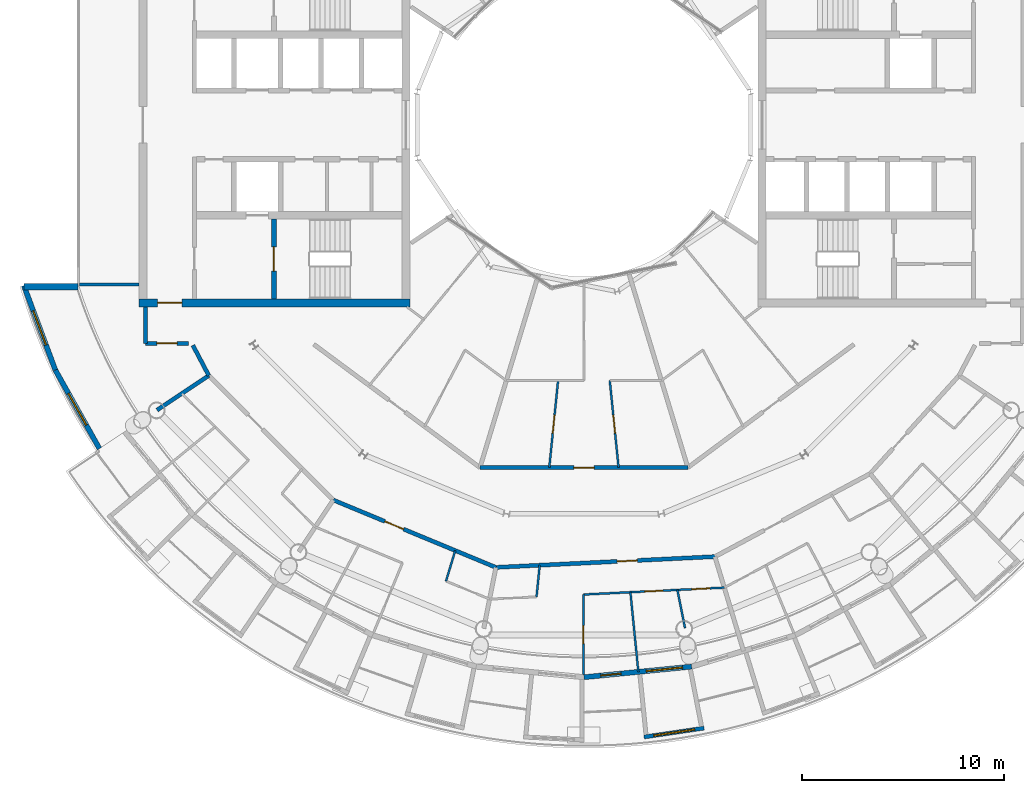
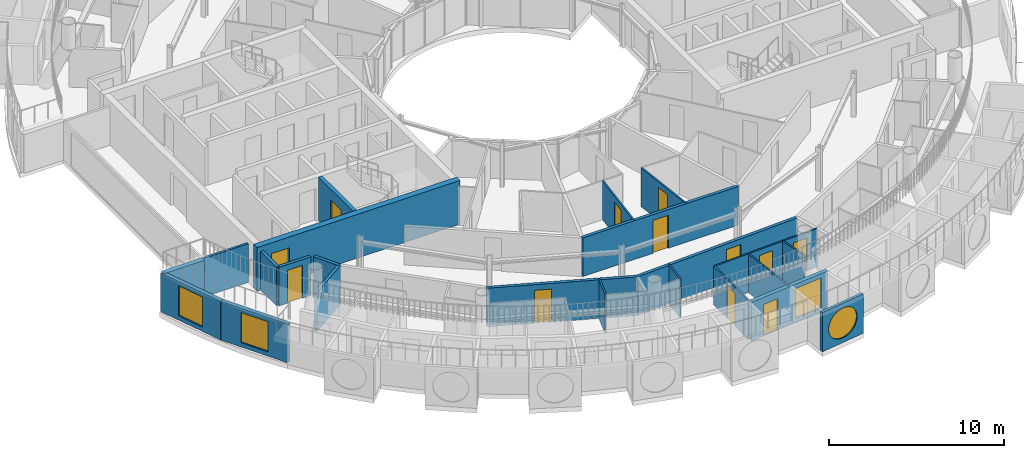
# One storey, part 15 of 29: 23 walls, 12 doors, 4 windows, 16 openings.
"""IFC4 building model written with IfcOpenShell, lengths in metres."""

import ifcopenshell
import ifcopenshell.guid

model = None  # the IFC model being written
_history = None  # IfcOwnerHistory: only IFC2X3 demands one
_inside = {}  # id of a spatial element -> (the spatial element, [elements in it])
_under = {}  # id of a project, library or spatial element -> (it, [spatial elements below it])
_declared = {}  # id of a project -> (the project, [libraries it declares])
_typed = {}  # id of a type object -> (the type object, [elements of that type])
_made_of = {}  # id of a material, layer set ... -> (it, [elements and type objects made of it])


def new_model(schema):
    """Start an empty IFC model of exactly this schema.

    Asked for "IFC4X3", IfcOpenShell would pick the latest addendum, in which some entities
    have other attributes; the version numbers below select the first issue.
    IFC2X3 requires an IfcOwnerHistory on every rooted entity: one is made here for all.
    """
    global model, _history
    if schema == "IFC4X3":
        model = ifcopenshell.file(schema_version=(4, 3, 0, 0))
    else:
        model = ifcopenshell.file(schema=schema)
    _inside.clear()
    _under.clear()
    _declared.clear()
    _typed.clear()
    _made_of.clear()
    _history = None
    if model.schema == "IFC2X3":
        org = make("IfcOrganization", Name="unknown")
        user = make(
            "IfcPersonAndOrganization",
            ThePerson=make("IfcPerson", FamilyName="unknown"),
            TheOrganization=org,
        )
        app = make(
            "IfcApplication",
            ApplicationDeveloper=org,
            Version="unknown",
            ApplicationFullName="unknown",
            ApplicationIdentifier="unknown",
        )
        _history = make(
            "IfcOwnerHistory",
            OwningUser=user,
            OwningApplication=app,
            ChangeAction="ADDED",
            CreationDate=0,
        )
    return model


def make(cls, **values):
    """One entity of the class cls with the attributes given. An attribute that is None is left unset."""
    return model.create_entity(
        cls, **{name: value for name, value in values.items() if value is not None}
    )


def rooted(cls, **values):
    """An entity with a GlobalId (a new one), such as an element, a storey or a relation."""
    return make(cls, GlobalId=ifcopenshell.guid.new(), OwnerHistory=_history, **values)


def si_unit(unit_type, name, prefix=None):
    """IfcSIUnit, for example si_unit("LENGTHUNIT", "METRE", prefix="MILLI")."""
    return make("IfcSIUnit", UnitType=unit_type, Prefix=prefix, Name=name)


def assignment(units):
    """IfcUnitAssignment: the units of a project."""
    return None if units is None else make("IfcUnitAssignment", Units=units)


def point(xyz):
    """IfcCartesianPoint."""
    return None if xyz is None else make("IfcCartesianPoint", Coordinates=xyz)


def direction(xyz):
    """IfcDirection."""
    return None if xyz is None else make("IfcDirection", DirectionRatios=xyz)


def frame(location, z_axis=None, x_axis=None):
    """IfcAxis2Placement3D, a coordinate frame: its origin and axes. An axis left out is left unset."""
    return make(
        "IfcAxis2Placement3D",
        Location=point(location),
        Axis=direction(z_axis),
        RefDirection=direction(x_axis),
    )


def frame_2d(location, x_axis=None):
    """IfcAxis2Placement2D, a coordinate frame in the plane: its origin and x axis."""
    return make(
        "IfcAxis2Placement2D", Location=point(location), RefDirection=direction(x_axis)
    )


def origin():
    """The frame at (0, 0, 0) with its axes left unset."""
    return frame((0.0, 0.0, 0.0))


def place(relative_to, where):
    """IfcLocalPlacement: puts the frame where relative to a parent placement (None: the world)."""
    return make(
        "IfcLocalPlacement", PlacementRelTo=relative_to, RelativePlacement=where
    )


def context(
    kind, dimensions, precision=None, world=None, true_north=None, identifier=None
):
    """IfcGeometricRepresentationContext, for example the 3D "Model" context."""
    return make(
        "IfcGeometricRepresentationContext",
        ContextIdentifier=identifier,
        ContextType=kind,
        CoordinateSpaceDimension=dimensions,
        Precision=precision,
        WorldCoordinateSystem=world,
        TrueNorth=true_north,
    )


def subcontext(parent, identifier, kind, view, scale=None):
    """IfcGeometricRepresentationSubContext, for example "Body" below "Model"."""
    return make(
        "IfcGeometricRepresentationSubContext",
        ContextIdentifier=identifier,
        ContextType=kind,
        ParentContext=parent,
        TargetScale=scale,
        TargetView=view,
    )


def project(units=None, contexts=None):
    """IfcProject with its units and contexts."""
    return rooted(
        "IfcProject",
        Name="project",
        RepresentationContexts=contexts,
        UnitsInContext=assignment(units),
    )


def spatial(cls, under=None, at=None, **own):
    """A site, building, storey or space (cls), placed at a placement, below another one or the project."""
    s = rooted(cls, ObjectPlacement=at, **own)
    if under is not None:
        _under.setdefault(under.id(), (under, []))[1].append(s)
    return s


def profile(cls, at=None, kind="AREA", **sizes):
    """A parametric profile (cls). Its sizes go by their IFC names, for example OverallWidth=200.0."""
    return make(cls, ProfileType=kind, Position=at, **sizes)


def rectangle(**sizes):
    """IfcRectangleProfileDef."""
    return profile("IfcRectangleProfileDef", **sizes)


def circle(**sizes):
    """IfcCircleProfileDef."""
    return profile("IfcCircleProfileDef", **sizes)


def extrude(swept, where, along, depth):
    """IfcExtrudedAreaSolid: the profile swept, set in the frame where, extruded along a direction by depth."""
    return make(
        "IfcExtrudedAreaSolid",
        SweptArea=swept,
        Position=where,
        ExtrudedDirection=direction(along),
        Depth=depth,
    )


def shape(context_of_items, identifier, shape_type, items):
    """IfcShapeRepresentation: the items that make up one representation, for example the "Body"."""
    return make(
        "IfcShapeRepresentation",
        ContextOfItems=context_of_items,
        RepresentationIdentifier=identifier,
        RepresentationType=shape_type,
        Items=items,
    )


def material(Name=None, Category=None):
    """IfcMaterial."""
    return make("IfcMaterial", Name=Name, Category=Category)


def layer(
    of_material, thickness, ventilated=None, Name=None, Category=None, Priority=None
):
    """IfcMaterialLayer: one layer of a wall or slab, of a material (None: an air gap)."""
    return make(
        "IfcMaterialLayer",
        Material=of_material,
        LayerThickness=thickness,
        IsVentilated=ventilated,
        Name=Name,
        Category=Category,
        Priority=Priority,
    )


def layer_set(layers, Name=None):
    """IfcMaterialLayerSet."""
    return make("IfcMaterialLayerSet", MaterialLayers=layers, LayerSetName=Name)


def made_of(thing, what):
    """Note that an element or type object is made of a material, layer set ...; save() writes the relation."""
    if what is not None:
        _made_of.setdefault(what.id(), (what, []))[1].append(thing)
    return thing


def type_object(cls, material=None, **own):
    """A type object (cls), such as IfcWallType, which elements share."""
    return made_of(rooted(cls, **own), material)


def element(
    cls,
    number,
    at=None,
    inside=None,
    cuts=None,
    type_object=None,
    material=None,
    context=None,
    identifier="Body",
    shape_type=None,
    held_by="IfcProductDefinitionShape",
    body=None,
    shapes=None,
    **own,
):
    """One element of the class cls, such as IfcWall. Its Tag is "e" and its number.

    at: its placement. inside: the storey or other place that contains it. cuts: it is an
    opening in that element (IfcRelVoidsElement). A single representation is given by context,
    identifier, shape_type and body (its items); several are given by shapes. held_by: the class
    of the entity that holds the representations. save() writes the other relations.
    """
    e = rooted(cls, Tag="e%d" % number, ObjectPlacement=at, **own)
    if body is not None:
        shapes = [shape(context, identifier, shape_type, body)]
    if shapes is not None:
        e.Representation = make(held_by, Representations=shapes)
    if inside is not None:
        _inside.setdefault(inside.id(), (inside, []))[1].append(e)
    if cuts is not None:
        rooted(
            "IfcRelVoidsElement", RelatingBuildingElement=cuts, RelatedOpeningElement=e
        )
    if type_object is not None:
        _typed.setdefault(type_object.id(), (type_object, []))[1].append(e)
    return made_of(e, material)


def fill(opening, filler):
    """IfcRelFillsElement: the door or window that sits in an opening."""
    return rooted(
        "IfcRelFillsElement",
        RelatingOpeningElement=opening,
        RelatedBuildingElement=filler,
    )


def aggregate(whole, parts):
    """IfcRelAggregates: a whole, such as a stair, and the parts it consists of."""
    return rooted("IfcRelAggregates", RelatingObject=whole, RelatedObjects=parts)


def save(model, path):
    """Write the relations noted so far, then the file.

    IfcRelAggregates (storeys below a building ...), IfcRelContainedInSpatialStructure (elements
    in a storey), IfcRelDefinesByType, IfcRelAssociatesMaterial and IfcRelDeclares: one each for
    every whole, place, type object, material and project.
    """
    for whole, parts in _under.values():
        aggregate(whole, parts)
    for where, things in _inside.values():
        rooted(
            "IfcRelContainedInSpatialStructure",
            RelatedElements=things,
            RelatingStructure=where,
        )
    for kind, things in _typed.values():
        rooted("IfcRelDefinesByType", RelatedObjects=things, RelatingType=kind)
    for what, things in _made_of.values():
        rooted("IfcRelAssociatesMaterial", RelatedObjects=things, RelatingMaterial=what)
    for by, libraries in _declared.values():
        rooted("IfcRelDeclares", RelatingContext=by, RelatedDefinitions=libraries)
    model.write(path)


model = new_model("IFC4")

# Units and contexts
model_context = context("Model", 3, precision=1e-05, world=origin(), true_north=direction((0.0, 1.0)))
body_context = subcontext(model_context, "Body", "Model", "MODEL_VIEW")
ifc_project = project(units=[si_unit("LENGTHUNIT", "METRE"), si_unit("AREAUNIT", "SQUARE_METRE"), si_unit("VOLUMEUNIT", "CUBIC_METRE"), si_unit("PLANEANGLEUNIT", "RADIAN"), si_unit("MASSUNIT", "GRAM", prefix="KILO")], contexts=[model_context])

# Site, building, storey
site_placement = place(None, origin())
site = spatial("IfcSite", under=ifc_project, at=site_placement, CompositionType="ELEMENT")
building_placement = place(site_placement, origin())
building = spatial("IfcBuilding", under=site, at=building_placement, Name="Maasbend Ring Residences", CompositionType="ELEMENT")
storey_placement = place(building_placement, frame((0.0, 0.0, 234.050048828125)))
storey = spatial("IfcBuildingStorey", under=building, at=storey_placement, Name="L67", CompositionType="ELEMENT", Elevation=234.050048828125)

# Wall, opening, door
ifc_material_1 = material(Name="Concrete C50/60", Category="concrete")
ifc_layer_1 = layer(ifc_material_1, 0.25)
ifc_layer_set_1 = layer_set([ifc_layer_1], Name="Concrete C50/60")
wall_type_1 = type_object("IfcWallType", Name="CORE WALL 250 C50/60", PredefinedType="SHEAR", material=ifc_layer_set_1)
wall_1_placement = place(storey_placement, frame((-15.324951171875, -4.64990234375, 0.0), z_axis=(0.0, 0.0, 1.0), x_axis=(0.0, -1.0, 0.0)))
wall_1 = element("IfcWall", 1, at=wall_1_placement, inside=storey, type_object=wall_type_1, Name="L67 core W wall STEN", PredefinedType="SHEAR", context=body_context, shape_type="SweptSolid", body=[
    extrude(rectangle(XDim=3.9501953125, YDim=0.25, at=frame_2d((1.97509765625, 0.0))), origin(), (0.0, 0.0, 1.0), 3.050048828125),
])
opening_1_placement = place(wall_1_placement, frame((1.375, 0.0, 0.0)))
opening_1 = element("IfcOpeningElement", 2, at=opening_1_placement, cuts=wall_1, Name="Opening D-W6711", PredefinedType="OPENING", context=body_context, shape_type="SweptSolid", body=[
    extrude(rectangle(XDim=1.199951171875, YDim=2.300048828125, at=frame_2d((0.60009765625, 1.14990234375))), frame((0.0, 0.135009765625, 0.0), z_axis=(0.0, -1.0, 0.0), x_axis=(1.0, 0.0, 0.0)), (0.0, 0.0, 1.0), 0.27001953125),
])
ifc_material_2 = material(Name="Steel, powder coated", Category="steel")
door_type_1 = type_object("IfcDoorType", Name="STAIR DOOR 1200 X 2300 FD60", OperationType="NOTDEFINED", PredefinedType="DOOR", material=ifc_material_2)
door_1_placement = place(opening_1_placement, origin())
door_1 = element("IfcDoor", 3, at=door_1_placement, inside=storey, type_object=door_type_1, Name="Stair door ST-W L67", OperationType="SINGLE_SWING_LEFT", OverallHeight=2.300048828125, OverallWidth=1.199951171875, PredefinedType="DOOR", context=body_context, shape_type="SweptSolid", body=[
    extrude(rectangle(XDim=1.199951171875, YDim=2.300048828125, at=frame_2d((0.60009765625, 1.14990234375))), frame((0.0, 0.02490234375, 0.0), z_axis=(0.0, -1.0, 0.0), x_axis=(1.0, 0.0, 0.0)), (0.0, 0.0, 1.0), 0.050048828125),
])
fill(opening_1, door_1)

ifc_material_3 = material(Name="Concrete C50/60", Category="concrete")
ifc_layer_2 = layer(ifc_material_3, 0.39990234375)
ifc_layer_set_2 = layer_set([ifc_layer_2], Name="Concrete C50/60")
wall_type_2 = type_object("IfcWallType", Name="CORE WALL 400 C50/60", PredefinedType="SHEAR", material=ifc_layer_set_2)
wall_2_placement = place(storey_placement, frame((-22.0, -8.800048828125, 0.0), z_axis=(0.0, 0.0, 1.0), x_axis=(1.0, 0.0, 0.0)))
wall_2 = element("IfcWall", 4, at=wall_2_placement, inside=storey, type_object=wall_type_2, Name="L67 core W wall PN", PredefinedType="SHEAR", context=body_context, shape_type="SweptSolid", body=[
    extrude(rectangle(XDim=13.39990234375, YDim=0.39990234375, at=frame_2d((6.699951171875, 0.0))), origin(), (0.0, 0.0, 1.0), 3.050048828125),
])
opening_2_placement = place(wall_2_placement, frame((0.925048828125, 0.0, 0.0)))
opening_2 = element("IfcOpeningElement", 5, at=opening_2_placement, cuts=wall_2, Name="Opening D-W6715", PredefinedType="OPENING", context=body_context, shape_type="SweptSolid", body=[
    extrude(rectangle(XDim=1.199951171875, YDim=2.300048828125, at=frame_2d((0.60009765625, 1.14990234375))), frame((0.0, 0.2099609375, 0.0), z_axis=(0.0, -1.0, 0.0), x_axis=(1.0, 0.0, 0.0)), (0.0, 0.0, 1.0), 0.419921875),
])
ifc_material_4 = material(Name="Steel, powder coated", Category="steel")
door_type_2 = type_object("IfcDoorType", Name="CORRIDOR DOOR 1200 X 2300 FD30S", OperationType="NOTDEFINED", PredefinedType="DOOR", material=ifc_material_4)
door_2_placement = place(opening_2_placement, origin())
door_2 = element("IfcDoor", 6, at=door_2_placement, inside=storey, type_object=door_type_2, Name="Corridor door L67", OperationType="SINGLE_SWING_RIGHT", OverallHeight=2.300048828125, OverallWidth=1.199951171875, PredefinedType="DOOR", context=body_context, shape_type="SweptSolid", body=[
    extrude(rectangle(XDim=1.199951171875, YDim=2.300048828125, at=frame_2d((0.60009765625, 1.14990234375))), frame((0.0, 0.02490234375, 0.0), z_axis=(0.0, -1.0, 0.0), x_axis=(1.0, 0.0, 0.0)), (0.0, 0.0, 1.0), 0.050048828125),
])
fill(opening_2, door_2)

# Wall
ifc_material_5 = material(Name="Concrete C30/37", Category="concrete")
ifc_layer_3 = layer(ifc_material_5, 0.199951171875)
ifc_layer_set_3 = layer_set([ifc_layer_3], Name="Concrete C30/37")
wall_type_3 = type_object("IfcWallType", Name="CORRIDOR WALL 200 CONCRETE", PredefinedType="PARTITIONING", material=ifc_layer_set_3)
wall_3_placement = place(storey_placement, frame((-19.327880859375, -10.89599609375, 0.0), z_axis=(0.0, 0.0, 1.0), x_axis=(0.465812036273, -0.88488369115, 0.0)))
element("IfcWall", 7, at=wall_3_placement, inside=storey, type_object=wall_type_3, Name="U-L67-w011", PredefinedType="PARTITIONING", context=body_context, shape_type="SweptSolid", body=[
    extrude(rectangle(XDim=1.687255859375, YDim=0.199951171875, at=frame_2d((0.84375, 0.0))), origin(), (0.0, 0.0, 1.0), 2.699951171875),
])

# Wall, opening, door
wall_4_placement = place(storey_placement, frame((-12.388916015625, -18.5419921875, 0.0), z_axis=(0.0, 0.0, 1.0), x_axis=(0.923867858178, -0.382711615483, 0.0)))
wall_4 = element("IfcWall", 8, at=wall_4_placement, inside=storey, type_object=wall_type_3, Name="U-L67-w015", PredefinedType="PARTITIONING", context=body_context, shape_type="SweptSolid", body=[
    extrude(rectangle(XDim=8.708984375, YDim=0.199951171875, at=frame_2d((4.3544921875, 0.0))), origin(), (0.0, 0.0, 1.0), 2.699951171875),
])
opening_3_placement = place(wall_4_placement, frame((2.762939453125, 0.0, 0.0)))
opening_3 = element("IfcOpeningElement", 9, at=opening_3_placement, cuts=wall_4, Name="Opening D-6738", PredefinedType="OPENING", context=body_context, shape_type="SweptSolid", body=[
    extrude(rectangle(XDim=1.0, YDim=2.300048828125, at=frame_2d((0.5, 1.14990234375))), frame((0.0, 0.10986328125, 0.0), z_axis=(0.0, -1.0, 0.0), x_axis=(1.0, 0.0, 0.0)), (0.0, 0.0, 1.0), 0.219970703125),
])
ifc_material_6 = material(Name="Timber, fire-rated, painted", Category="wood")
door_type_3 = type_object("IfcDoorType", Name="FLAT ENTRANCE DOOR 1000 X 2300 FIRE-RATED", OperationType="NOTDEFINED", PredefinedType="DOOR", material=ifc_material_6)
door_3_placement = place(opening_3_placement, origin())
door_3 = element("IfcDoor", 10, at=door_3_placement, inside=storey, type_object=door_type_3, Name="D-6738", OperationType="SINGLE_SWING_LEFT", OverallHeight=2.300048828125, OverallWidth=1.0, PredefinedType="DOOR", context=body_context, shape_type="SweptSolid", body=[
    extrude(rectangle(XDim=1.0, YDim=2.300048828125, at=frame_2d((0.5, 1.14990234375))), frame((0.0, 0.02490234375, 0.0), z_axis=(0.0, -1.0, 0.0), x_axis=(1.0, 0.0, 0.0)), (0.0, 0.0, 1.0), 0.050048828125),
])
fill(opening_3, door_3)

wall_5_placement = place(storey_placement, frame((-4.35791015625, -21.8720703125, 0.0), z_axis=(0.0, 0.0, 1.0), x_axis=(0.998795913445, 0.049058366102, 0.0)))
wall_5 = element("IfcWall", 11, at=wall_5_placement, inside=storey, type_object=wall_type_3, Name="U-L67-w019", PredefinedType="PARTITIONING", context=body_context, shape_type="SweptSolid", body=[
    extrude(rectangle(XDim=10.84375, YDim=0.199951171875, at=frame_2d((5.421875, 0.0))), origin(), (0.0, 0.0, 1.0), 2.699951171875),
])
opening_4_placement = place(wall_5_placement, frame((6.009033203125, 0.0, 0.0)))
opening_4 = element("IfcOpeningElement", 12, at=opening_4_placement, cuts=wall_5, Name="Opening D-6742", PredefinedType="OPENING", context=body_context, shape_type="SweptSolid", body=[
    extrude(rectangle(XDim=1.0, YDim=2.300048828125, at=frame_2d((0.5, 1.14990234375))), frame((0.0, 0.10986328125, 0.0), z_axis=(0.0, -1.0, 0.0), x_axis=(1.0, 0.0, 0.0)), (0.0, 0.0, 1.0), 0.219970703125),
])
door_4_placement = place(opening_4_placement, origin())
door_4 = element("IfcDoor", 13, at=door_4_placement, inside=storey, type_object=door_type_3, Name="D-6742", OperationType="SINGLE_SWING_RIGHT", OverallHeight=2.300048828125, OverallWidth=1.0, PredefinedType="DOOR", context=body_context, shape_type="SweptSolid", body=[
    extrude(rectangle(XDim=1.0, YDim=2.300048828125, at=frame_2d((0.5, 1.14990234375))), frame((0.0, 0.02490234375, 0.0), z_axis=(0.0, -1.0, 0.0), x_axis=(1.0, 0.0, 0.0)), (0.0, 0.0, 1.0), 0.050048828125),
])
fill(opening_4, door_4)

wall_6_placement = place(storey_placement, frame((-5.137939453125, -16.93798828125, 0.0), z_axis=(0.0, 0.0, 1.0), x_axis=(1.0, 0.0, 0.0)))
wall_6 = element("IfcWall", 14, at=wall_6_placement, inside=storey, type_object=wall_type_3, Name="U-L67-w020", PredefinedType="PARTITIONING", context=body_context, shape_type="SweptSolid", body=[
    extrude(rectangle(XDim=10.27587890625, YDim=0.199951171875, at=frame_2d((5.137939453125, 0.0))), origin(), (0.0, 0.0, 1.0), 2.699951171875),
])
opening_5_placement = place(wall_6_placement, frame((4.637939453125, 0.0, 0.0)))
opening_5 = element("IfcOpeningElement", 15, at=opening_5_placement, cuts=wall_6, Name="Opening D-6758", PredefinedType="OPENING", context=body_context, shape_type="SweptSolid", body=[
    extrude(rectangle(XDim=1.0, YDim=2.300048828125, at=frame_2d((0.5, 1.14990234375))), frame((0.0, 0.10986328125, 0.0), z_axis=(0.0, -1.0, 0.0), x_axis=(1.0, 0.0, 0.0)), (0.0, 0.0, 1.0), 0.219970703125),
])
door_5_placement = place(opening_5_placement, origin())
door_5 = element("IfcDoor", 16, at=door_5_placement, inside=storey, type_object=door_type_3, Name="D-6758", OperationType="SINGLE_SWING_LEFT", OverallHeight=2.300048828125, OverallWidth=1.0, PredefinedType="DOOR", context=body_context, shape_type="SweptSolid", body=[
    extrude(rectangle(XDim=1.0, YDim=2.300048828125, at=frame_2d((0.5, 1.14990234375))), frame((0.0, 0.02490234375, 0.0), z_axis=(0.0, -1.0, 0.0), x_axis=(1.0, 0.0, 0.0)), (0.0, 0.0, 1.0), 0.050048828125),
])
fill(opening_5, door_5)

wall_7_placement = place(storey_placement, frame((-21.675048828125, -10.800048828125, 0.0), z_axis=(0.0, 0.0, 1.0), x_axis=(1.0, 0.0, 0.0)))
wall_7 = element("IfcWall", 17, at=wall_7_placement, inside=storey, type_object=wall_type_3, Name="U-L67-w029", PredefinedType="PARTITIONING", context=body_context, shape_type="SweptSolid", body=[
    extrude(rectangle(XDim=2.132080078125, YDim=0.199951171875, at=frame_2d((1.06591796875, 0.0))), origin(), (0.0, 0.0, 1.0), 2.699951171875),
])
opening_6_placement = place(wall_7_placement, frame((0.56591796875, 0.0, 0.0)))
opening_6 = element("IfcOpeningElement", 18, at=opening_6_placement, cuts=wall_7, Name="Opening D-6766", PredefinedType="OPENING", context=body_context, shape_type="SweptSolid", body=[
    extrude(rectangle(XDim=1.0, YDim=2.300048828125, at=frame_2d((0.5, 1.14990234375))), frame((0.0, 0.10986328125, 0.0), z_axis=(0.0, -1.0, 0.0), x_axis=(1.0, 0.0, 0.0)), (0.0, 0.0, 1.0), 0.219970703125),
])
ifc_material_7 = material(Name="Timber, painted", Category="wood")
door_type_4 = type_object("IfcDoorType", Name="ROOM DOOR 1000 X 2300", OperationType="NOTDEFINED", PredefinedType="DOOR", material=ifc_material_7)
door_6_placement = place(opening_6_placement, origin())
door_6 = element("IfcDoor", 19, at=door_6_placement, inside=storey, type_object=door_type_4, Name="D-6766", OperationType="SINGLE_SWING_LEFT", OverallHeight=2.300048828125, OverallWidth=1.0, PredefinedType="DOOR", context=body_context, shape_type="SweptSolid", body=[
    extrude(rectangle(XDim=1.0, YDim=2.300048828125, at=frame_2d((0.5, 1.14990234375))), frame((0.0, 0.02490234375, 0.0), z_axis=(0.0, -1.0, 0.0), x_axis=(1.0, 0.0, 0.0)), (0.0, 0.0, 1.0), 0.050048828125),
])
fill(opening_6, door_6)

# Wall
wall_8_placement = place(storey_placement, frame((-21.675048828125, -10.800048828125, 0.0), z_axis=(0.0, 0.0, 1.0), x_axis=(0.0, 1.0, 0.0)))
element("IfcWall", 20, at=wall_8_placement, inside=storey, type_object=wall_type_3, Name="U-L67-w109", PredefinedType="PARTITIONING", context=body_context, shape_type="SweptSolid", body=[
    extrude(rectangle(XDim=1.800048828125, YDim=0.199951171875, at=frame_2d((0.89990234375, 0.0))), origin(), (0.0, 0.0, 1.0), 2.699951171875),
])

# Wall, opening, window
ifc_material_8 = material(Name="Pale anodised aluminium panel", Category="aluminium")
ifc_layer_4 = layer(ifc_material_8, 0.199951171875)
ifc_layer_set_4 = layer_set([ifc_layer_4], Name="EW-BOX")
wall_type_4 = type_object("IfcWallType", Name="EW-BOX", PredefinedType="SOLIDWALL", material=ifc_layer_set_4)
wall_9_placement = place(storey_placement, frame((2.97509765625, -30.25390625, -0.030029296875), z_axis=(0.0, 0.0, 1.0), x_axis=(0.989188568008, 0.146649162704, 0.0)))
wall_9 = element("IfcWall", 21, at=wall_9_placement, inside=storey, type_object=wall_type_4, Name="Box front S12", PredefinedType="SOLIDWALL", context=body_context, shape_type="SweptSolid", body=[
    extrude(rectangle(XDim=2.993408203125, YDim=0.199951171875, at=frame_2d((1.49658203125, 0.0))), origin(), (0.0, 0.0, 1.0), 2.72998046875),
])
opening_7_placement = place(wall_9_placement, frame((0.45654296875, 0.0, 0.330078125)))
opening_7 = element("IfcOpeningElement", 22, at=opening_7_placement, cuts=wall_9, Name="Opening W-RD", PredefinedType="OPENING", context=body_context, shape_type="SweptSolid", body=[
    extrude(circle(Radius=1.0400390625, at=frame_2d((1.0400390625, 1.0400390625))), frame((0.0, 0.10986328125, 0.0), z_axis=(0.0, -1.0, 0.0), x_axis=(1.0, 0.0, 0.0)), (0.0, 0.0, 1.0), 0.219970703125),
])
ifc_material_9 = material(Name="Aluminium and clear glass", Category="aluminium")
window_type_1 = type_object("IfcWindowType", Name="W-RD", PartitioningType="SINGLE_PANEL", PredefinedType="WINDOW", material=ifc_material_9)
window_1_placement = place(opening_7_placement, origin())
window_1 = element("IfcWindow", 23, at=window_1_placement, inside=storey, type_object=window_type_1, Name="Round window S12", OverallHeight=2.080078125, OverallWidth=2.080078125, PartitioningType="SINGLE_PANEL", PredefinedType="WINDOW", context=body_context, shape_type="SweptSolid", body=[
    extrude(circle(Radius=1.0400390625, at=frame_2d((1.0400390625, 1.0400390625))), frame((0.0, 0.030029296875, 0.0), z_axis=(0.0, -1.0, 0.0), x_axis=(1.0, 0.0, 0.0)), (0.0, 0.0, 1.0), 0.06005859375),
])
fill(opening_7, window_1)

# Wall, openings, door, window
ifc_material_10 = material(Name="Aluminium clad insulated panel", Category="aluminium")
ifc_layer_5 = layer(ifc_material_10, 0.25)
ifc_layer_set_5 = layer_set([ifc_layer_5], Name="EW-GL")
wall_type_5 = type_object("IfcWallType", Name="EW-GL", PredefinedType="SOLIDWALL", material=ifc_layer_set_5)
wall_10_placement = place(storey_placement, frame((0.0, -27.300048828125, 0.0), z_axis=(0.0, 0.0, 1.0), x_axis=(0.995173996315, 0.098126026407, 0.0)))
wall_10 = element("IfcWall", 24, at=wall_10_placement, inside=storey, type_object=wall_type_5, Name="External wall S06", PredefinedType="SOLIDWALL", context=body_context, shape_type="SweptSolid", body=[
    extrude(rectangle(XDim=5.351806640625, YDim=0.25, at=frame_2d((2.67578125, 0.0))), origin(), (0.0, 0.0, 1.0), 2.699951171875),
])
opening_8_placement = place(wall_10_placement, frame((0.841064453125, 0.0, 0.0)))
opening_8 = element("IfcOpeningElement", 25, at=opening_8_placement, cuts=wall_10, Name="Opening D-LG", PredefinedType="OPENING", context=body_context, shape_type="SweptSolid", body=[
    extrude(rectangle(XDim=1.0, YDim=2.199951171875, at=frame_2d((0.5, 1.10009765625))), frame((0.0, 0.135009765625, 0.0), z_axis=(0.0, -1.0, 0.0), x_axis=(1.0, 0.0, 0.0)), (0.0, 0.0, 1.0), 0.27001953125),
])
opening_9_placement = place(wall_10_placement, frame((3.095947265625, 0.0, 0.300048828125)))
opening_9 = element("IfcOpeningElement", 26, at=opening_9_placement, cuts=wall_10, Name="Opening W-BX", PredefinedType="OPENING", context=body_context, shape_type="SweptSolid", body=[
    extrude(rectangle(XDim=1.800048828125, YDim=2.10009765625, at=frame_2d((0.89990234375, 1.050048828125))), frame((0.0, 0.135009765625, 0.0), z_axis=(0.0, -1.0, 0.0), x_axis=(1.0, 0.0, 0.0)), (0.0, 0.0, 1.0), 0.27001953125),
])
ifc_material_11 = material(Name="Aluminium and clear glass", Category="aluminium")
door_type_5 = type_object("IfcDoorType", Name="D-LG", OperationType="SINGLE_SWING_LEFT", PredefinedType="DOOR", material=ifc_material_11)
door_7_placement = place(opening_8_placement, origin())
door_7 = element("IfcDoor", 27, at=door_7_placement, inside=storey, type_object=door_type_5, Name="Loggia door S11", OperationType="SINGLE_SWING_LEFT", OverallHeight=2.199951171875, OverallWidth=1.0, PredefinedType="DOOR", context=body_context, shape_type="SweptSolid", body=[
    extrude(rectangle(XDim=1.0, YDim=2.199951171875, at=frame_2d((0.5, 1.10009765625))), frame((0.0, 0.02490234375, 0.0), z_axis=(0.0, -1.0, 0.0), x_axis=(1.0, 0.0, 0.0)), (0.0, 0.0, 1.0), 0.050048828125),
])
fill(opening_8, door_7)
ifc_material_12 = material(Name="Aluminium and clear glass", Category="aluminium")
window_type_2 = type_object("IfcWindowType", Name="W-BX", PartitioningType="DOUBLE_PANEL_VERTICAL", PredefinedType="WINDOW", material=ifc_material_12)
window_2_placement = place(opening_9_placement, origin())
window_2 = element("IfcWindow", 28, at=window_2_placement, inside=storey, type_object=window_type_2, Name="Window S12 room to box", OverallHeight=2.10009765625, OverallWidth=1.800048828125, PartitioningType="SINGLE_PANEL", PredefinedType="WINDOW", context=body_context, shape_type="SweptSolid", body=[
    extrude(rectangle(XDim=1.800048828125, YDim=2.10009765625, at=frame_2d((0.89990234375, 1.050048828125))), frame((0.0, 0.030029296875, 0.0), z_axis=(0.0, -1.0, 0.0), x_axis=(1.0, 0.0, 0.0)), (0.0, 0.0, 1.0), 0.06005859375),
])
fill(opening_9, window_2)

# Wall, opening, window
ifc_material_13 = material(Name="Aluminium clad insulated panel", Category="aluminium")
ifc_layer_6 = layer(ifc_material_13, 0.25)
ifc_layer_set_6 = layer_set([ifc_layer_6], Name="EW-HORN")
wall_type_6 = type_object("IfcWallType", Name="EW-HORN", PredefinedType="SOLIDWALL", material=ifc_layer_set_6)
wall_11_placement = place(storey_placement, frame((-27.681884765625, -7.945068359375, 0.0), z_axis=(0.0, 0.0, 1.0), x_axis=(0.349247811493, -0.937030397675, 0.0)))
wall_11 = element("IfcWall", 29, at=wall_11_placement, inside=storey, type_object=wall_type_6, Name="Horn wall 3.1", PredefinedType="SOLIDWALL", context=body_context, shape_type="SweptSolid", body=[
    extrude(rectangle(XDim=4.4521484375, YDim=0.25, at=frame_2d((2.22607421875, 0.0))), origin(), (0.0, 0.0, 1.0), 2.699951171875),
])
opening_10_placement = place(wall_11_placement, frame((1.32666015625, 0.0, 0.300048828125)))
opening_10 = element("IfcOpeningElement", 30, at=opening_10_placement, cuts=wall_11, Name="Opening W-BX", PredefinedType="OPENING", context=body_context, shape_type="SweptSolid", body=[
    extrude(rectangle(XDim=1.800048828125, YDim=2.10009765625, at=frame_2d((0.89990234375, 1.050048828125))), frame((0.0, 0.135009765625, 0.0), z_axis=(0.0, -1.0, 0.0), x_axis=(1.0, 0.0, 0.0)), (0.0, 0.0, 1.0), 0.27001953125),
])
window_3_placement = place(opening_10_placement, origin())
window_3 = element("IfcWindow", 31, at=window_3_placement, inside=storey, type_object=window_type_2, Name="Horn window 3.1", OverallHeight=2.10009765625, OverallWidth=1.800048828125, PartitioningType="SINGLE_PANEL", PredefinedType="WINDOW", context=body_context, shape_type="SweptSolid", body=[
    extrude(rectangle(XDim=1.800048828125, YDim=2.10009765625, at=frame_2d((0.89990234375, 1.050048828125))), frame((0.0, 0.030029296875, 0.0), z_axis=(0.0, -1.0, 0.0), x_axis=(1.0, 0.0, 0.0)), (0.0, 0.0, 1.0), 0.06005859375),
])
fill(opening_10, window_3)

wall_12_placement = place(storey_placement, frame((-26.126953125, -12.116943359375, 0.0), z_axis=(0.0, 0.0, 1.0), x_axis=(0.489696356642, -0.871893042919, 0.0)))
wall_12 = element("IfcWall", 32, at=wall_12_placement, inside=storey, type_object=wall_type_6, Name="Horn wall 3.2", PredefinedType="SOLIDWALL", context=body_context, shape_type="SweptSolid", body=[
    extrude(rectangle(XDim=4.45361328125, YDim=0.25, at=frame_2d((2.226806640625, 0.0))), origin(), (0.0, 0.0, 1.0), 2.699951171875),
])
opening_11_placement = place(wall_12_placement, frame((1.32666015625, 0.0, 0.300048828125)))
opening_11 = element("IfcOpeningElement", 33, at=opening_11_placement, cuts=wall_12, Name="Opening W-BX", PredefinedType="OPENING", context=body_context, shape_type="SweptSolid", body=[
    extrude(rectangle(XDim=1.800048828125, YDim=2.10009765625, at=frame_2d((0.89990234375, 1.050048828125))), frame((0.0, 0.135009765625, 0.0), z_axis=(0.0, -1.0, 0.0), x_axis=(1.0, 0.0, 0.0)), (0.0, 0.0, 1.0), 0.27001953125),
])
window_4_placement = place(opening_11_placement, origin())
window_4 = element("IfcWindow", 34, at=window_4_placement, inside=storey, type_object=window_type_2, Name="Horn window 3.2", OverallHeight=2.10009765625, OverallWidth=1.800048828125, PartitioningType="SINGLE_PANEL", PredefinedType="WINDOW", context=body_context, shape_type="SweptSolid", body=[
    extrude(rectangle(XDim=1.800048828125, YDim=2.10009765625, at=frame_2d((0.89990234375, 1.050048828125))), frame((0.0, 0.030029296875, 0.0), z_axis=(0.0, -1.0, 0.0), x_axis=(1.0, 0.0, 0.0)), (0.0, 0.0, 1.0), 0.06005859375),
])
fill(opening_11, window_4)

# Wall
ifc_material_14 = material(Name="Aluminium clad insulated panel", Category="aluminium")
ifc_layer_7 = layer(ifc_material_14, 0.300048828125)
ifc_layer_set_7 = layer_set([ifc_layer_7], Name="EW-RET")
wall_type_7 = type_object("IfcWallType", Name="EW-RET", PredefinedType="SOLIDWALL", material=ifc_layer_set_7)
wall_13_placement = place(storey_placement, frame((-25.0, -8.0, 0.0), z_axis=(0.0, 0.0, 1.0), x_axis=(-1.0, 0.0, 0.0)))
element("IfcWall", 35, at=wall_13_placement, inside=storey, type_object=wall_type_7, Name="Notch return wall west south", PredefinedType="SOLIDWALL", context=body_context, shape_type="SweptSolid", body=[
    extrude(rectangle(XDim=2.6669921875, YDim=0.300048828125, at=frame_2d((1.33349609375, 0.0))), origin(), (0.0, 0.0, 1.0), 2.699951171875),
])

# Wall, openings, doors
ifc_material_15 = material(Name="Gypsum board on steel studs", Category="steel")
ifc_layer_8 = layer(ifc_material_15, 0.10009765625)
ifc_layer_set_8 = layer_set([ifc_layer_8], Name="PARTITION 100 GYPSUM")
wall_type_8 = type_object("IfcWallType", Name="PARTITION 100 GYPSUM", PredefinedType="PARTITIONING", material=ifc_layer_set_8)
wall_14_placement = place(storey_placement, frame((-0.02197265625, -23.212890625, 0.0), z_axis=(0.0, 0.0, 1.0), x_axis=(0.998796328708, 0.049049910909, 0.0)))
wall_14 = element("IfcWall", 36, at=wall_14_placement, inside=storey, type_object=wall_type_8, Name="U-L67-w010", PredefinedType="PARTITIONING", context=body_context, shape_type="SweptSolid", body=[
    extrude(rectangle(XDim=6.96826171875, YDim=0.10009765625, at=frame_2d((3.484130859375, 0.0))), origin(), (0.0, 0.0, 1.0), 2.699951171875),
])
opening_12_placement = place(wall_14_placement, frame((3.033935546875, 0.0, 0.0)))
opening_12 = element("IfcOpeningElement", 37, at=opening_12_placement, cuts=wall_14, Name="Opening D-6745", PredefinedType="OPENING", context=body_context, shape_type="SweptSolid", body=[
    extrude(rectangle(XDim=0.89990234375, YDim=2.300048828125, at=frame_2d((0.449951171875, 1.14990234375))), frame((0.0, 0.06005859375, 0.0), z_axis=(0.0, -1.0, 0.0), x_axis=(1.0, 0.0, 0.0)), (0.0, 0.0, 1.0), 0.1201171875),
])
opening_13_placement = place(wall_14_placement, frame((5.35693359375, 0.0, 0.0)))
opening_13 = element("IfcOpeningElement", 38, at=opening_13_placement, cuts=wall_14, Name="Opening D-6746", PredefinedType="OPENING", context=body_context, shape_type="SweptSolid", body=[
    extrude(rectangle(XDim=0.89990234375, YDim=2.300048828125, at=frame_2d((0.449951171875, 1.14990234375))), frame((0.0, 0.06005859375, 0.0), z_axis=(0.0, -1.0, 0.0), x_axis=(1.0, 0.0, 0.0)), (0.0, 0.0, 1.0), 0.1201171875),
])
ifc_material_16 = material(Name="Timber, painted", Category="wood")
door_type_6 = type_object("IfcDoorType", Name="INTERNAL DOOR 900 X 2300", OperationType="NOTDEFINED", PredefinedType="DOOR", material=ifc_material_16)
door_8_placement = place(opening_12_placement, origin())
door_8 = element("IfcDoor", 39, at=door_8_placement, inside=storey, type_object=door_type_6, Name="D-6745", OperationType="SINGLE_SWING_LEFT", OverallHeight=2.300048828125, OverallWidth=0.89990234375, PredefinedType="DOOR", context=body_context, shape_type="SweptSolid", body=[
    extrude(rectangle(XDim=0.89990234375, YDim=2.300048828125, at=frame_2d((0.449951171875, 1.14990234375))), frame((0.0, 0.02490234375, 0.0), z_axis=(0.0, -1.0, 0.0), x_axis=(1.0, 0.0, 0.0)), (0.0, 0.0, 1.0), 0.050048828125),
])
fill(opening_12, door_8)
door_9_placement = place(opening_13_placement, origin())
door_9 = element("IfcDoor", 40, at=door_9_placement, inside=storey, type_object=door_type_6, Name="D-6746", OperationType="SINGLE_SWING_RIGHT", OverallHeight=2.300048828125, OverallWidth=0.89990234375, PredefinedType="DOOR", context=body_context, shape_type="SweptSolid", body=[
    extrude(rectangle(XDim=0.89990234375, YDim=2.300048828125, at=frame_2d((0.449951171875, 1.14990234375))), frame((0.0, 0.02490234375, 0.0), z_axis=(0.0, -1.0, 0.0), x_axis=(1.0, 0.0, 0.0)), (0.0, 0.0, 1.0), 0.050048828125),
])
fill(opening_13, door_9)

# Walls
wall_15_placement = place(storey_placement, frame((-6.81689453125, -22.549072265625, 0.0), z_axis=(0.0, 0.0, 1.0), x_axis=(0.289547780579, 0.957163561134, 0.0)))
element("IfcWall", 41, at=wall_15_placement, inside=storey, type_object=wall_type_8, Name="U-L67-w034", PredefinedType="PARTITIONING", context=body_context, shape_type="SweptSolid", body=[
    extrude(rectangle(XDim=1.57763671875, YDim=0.10009765625, at=frame_2d((0.788818359375, 0.0))), origin(), (0.0, 0.0, 1.0), 2.699951171875),
])
wall_16_placement = place(storey_placement, frame((-2.343017578125, -23.325927734375, 0.0), z_axis=(0.0, 0.0, 1.0), x_axis=(0.100058359327, 0.994981570045, 0.0)))
element("IfcWall", 42, at=wall_16_placement, inside=storey, type_object=wall_type_8, Name="U-L67-w063", PredefinedType="PARTITIONING", context=body_context, shape_type="SweptSolid", body=[
    extrude(rectangle(XDim=1.56884765625, YDim=0.10009765625, at=frame_2d((0.784423828125, 0.0))), origin(), (0.0, 0.0, 1.0), 2.699951171875),
])

# Wall, opening, door
wall_17_placement = place(storey_placement, frame((-1.712890625, -16.93798828125, 0.0), z_axis=(0.0, 0.0, 1.0), x_axis=(0.100650711003, 0.994921823248, 0.0)))
wall_17 = element("IfcWall", 43, at=wall_17_placement, inside=storey, type_object=wall_type_8, Name="U-L67-w065", PredefinedType="PARTITIONING", context=body_context, shape_type="SweptSolid", body=[
    extrude(rectangle(XDim=4.320068359375, YDim=0.10009765625, at=frame_2d((2.16015625, 0.0))), origin(), (0.0, 0.0, 1.0), 2.699951171875),
])
opening_14_placement = place(wall_17_placement, frame((1.7099609375, 0.0, 0.0)))
opening_14 = element("IfcOpeningElement", 44, at=opening_14_placement, cuts=wall_17, Name="Opening D-6760", PredefinedType="OPENING", context=body_context, shape_type="SweptSolid", body=[
    extrude(rectangle(XDim=0.89990234375, YDim=2.300048828125, at=frame_2d((0.449951171875, 1.14990234375))), frame((0.0, 0.06005859375, 0.0), z_axis=(0.0, -1.0, 0.0), x_axis=(1.0, 0.0, 0.0)), (0.0, 0.0, 1.0), 0.1201171875),
])
door_10_placement = place(opening_14_placement, origin())
door_10 = element("IfcDoor", 45, at=door_10_placement, inside=storey, type_object=door_type_6, Name="D-6760", OperationType="SINGLE_SWING_LEFT", OverallHeight=2.300048828125, OverallWidth=0.89990234375, PredefinedType="DOOR", context=body_context, shape_type="SweptSolid", body=[
    extrude(rectangle(XDim=0.89990234375, YDim=2.300048828125, at=frame_2d((0.449951171875, 1.14990234375))), frame((0.0, 0.02490234375, 0.0), z_axis=(0.0, -1.0, 0.0), x_axis=(1.0, 0.0, 0.0)), (0.0, 0.0, 1.0), 0.050048828125),
])
fill(opening_14, door_10)

wall_18_placement = place(storey_placement, frame((-0.02587890625, -27.175048828125, 0.0), z_axis=(0.0, 0.0, 1.0), x_axis=(0.000985888978, 0.999999514011, 0.0)))
wall_18 = element("IfcWall", 46, at=wall_18_placement, inside=storey, type_object=wall_type_8, Name="U-L67-w066", PredefinedType="PARTITIONING", context=body_context, shape_type="SweptSolid", body=[
    extrude(rectangle(XDim=3.962158203125, YDim=0.10009765625, at=frame_2d((1.98095703125, 0.0))), origin(), (0.0, 0.0, 1.0), 2.699951171875),
])
opening_15_placement = place(wall_18_placement, frame((1.531005859375, 0.0, 0.0)))
opening_15 = element("IfcOpeningElement", 47, at=opening_15_placement, cuts=wall_18, Name="Opening D-6744", PredefinedType="OPENING", context=body_context, shape_type="SweptSolid", body=[
    extrude(rectangle(XDim=0.89990234375, YDim=2.300048828125, at=frame_2d((0.449951171875, 1.14990234375))), frame((0.0, 0.06005859375, 0.0), z_axis=(0.0, -1.0, 0.0), x_axis=(1.0, 0.0, 0.0)), (0.0, 0.0, 1.0), 0.1201171875),
])
door_11_placement = place(opening_15_placement, origin())
door_11 = element("IfcDoor", 48, at=door_11_placement, inside=storey, type_object=door_type_6, Name="D-6744", OperationType="SINGLE_SWING_LEFT", OverallHeight=2.300048828125, OverallWidth=0.89990234375, PredefinedType="DOOR", context=body_context, shape_type="SweptSolid", body=[
    extrude(rectangle(XDim=0.89990234375, YDim=2.300048828125, at=frame_2d((0.449951171875, 1.14990234375))), frame((0.0, 0.02490234375, 0.0), z_axis=(0.0, -1.0, 0.0), x_axis=(1.0, 0.0, 0.0)), (0.0, 0.0, 1.0), 0.050048828125),
])
fill(opening_15, door_11)

wall_19_placement = place(storey_placement, frame((1.278076171875, -12.639892578125, 0.0), z_axis=(0.0, 0.0, 1.0), x_axis=(0.100650711003, -0.994921823248, 0.0)))
wall_19 = element("IfcWall", 49, at=wall_19_placement, inside=storey, type_object=wall_type_8, Name="U-L67-w070", PredefinedType="PARTITIONING", context=body_context, shape_type="SweptSolid", body=[
    extrude(rectangle(XDim=4.320068359375, YDim=0.10009765625, at=frame_2d((2.16015625, 0.0))), origin(), (0.0, 0.0, 1.0), 2.699951171875),
])
opening_16_placement = place(wall_19_placement, frame((1.7099609375, 0.0, 0.0)))
opening_16 = element("IfcOpeningElement", 50, at=opening_16_placement, cuts=wall_19, Name="Opening D-6759", PredefinedType="OPENING", context=body_context, shape_type="SweptSolid", body=[
    extrude(rectangle(XDim=0.89990234375, YDim=2.300048828125, at=frame_2d((0.449951171875, 1.14990234375))), frame((0.0, 0.06005859375, 0.0), z_axis=(0.0, -1.0, 0.0), x_axis=(1.0, 0.0, 0.0)), (0.0, 0.0, 1.0), 0.1201171875),
])
door_12_placement = place(opening_16_placement, origin())
door_12 = element("IfcDoor", 51, at=door_12_placement, inside=storey, type_object=door_type_6, Name="D-6759", OperationType="SINGLE_SWING_RIGHT", OverallHeight=2.300048828125, OverallWidth=0.89990234375, PredefinedType="DOOR", context=body_context, shape_type="SweptSolid", body=[
    extrude(rectangle(XDim=0.89990234375, YDim=2.300048828125, at=frame_2d((0.449951171875, 1.14990234375))), frame((0.0, 0.02490234375, 0.0), z_axis=(0.0, -1.0, 0.0), x_axis=(1.0, 0.0, 0.0)), (0.0, 0.0, 1.0), 0.050048828125),
])
fill(opening_16, door_12)

# Walls
wall_20_placement = place(storey_placement, frame((2.298095703125, -23.09912109375, 0.0), z_axis=(0.0, 0.0, 1.0), x_axis=(0.098893641153, -0.995098009112, 0.0)))
element("IfcWall", 52, at=wall_20_placement, inside=storey, type_object=wall_type_8, Name="U-L67-w072", PredefinedType="PARTITIONING", context=body_context, shape_type="SweptSolid", body=[
    extrude(rectangle(XDim=3.96240234375, YDim=0.10009765625, at=frame_2d((1.981201171875, 0.0))), origin(), (0.0, 0.0, 1.0), 2.699951171875),
])
wall_21_placement = place(storey_placement, frame((4.617919921875, -22.985107421875, 0.0), z_axis=(0.0, 0.0, 1.0), x_axis=(0.197089753946, -0.980385449142, 0.0)))
element("IfcWall", 53, at=wall_21_placement, inside=storey, type_object=wall_type_8, Name="U-L67-w075", PredefinedType="PARTITIONING", context=body_context, shape_type="SweptSolid", body=[
    extrude(rectangle(XDim=1.9287109375, YDim=0.10009765625, at=frame_2d((0.96435546875, 0.0))), origin(), (0.0, 0.0, 1.0), 2.699951171875),
])
ifc_material_17 = material(Name="Gypsum board on steel studs", Category="steel")
ifc_layer_9 = layer(ifc_material_17, 0.14990234375)
ifc_layer_set_9 = layer_set([ifc_layer_9], Name="PARTITION 150 EI 60")
wall_type_9 = type_object("IfcWallType", Name="PARTITION 150 EI 60", PredefinedType="PARTITIONING", material=ifc_layer_set_9)
wall_22_placement = place(storey_placement, frame((-22.0, -7.89990234375, 0.0), z_axis=(0.0, 0.0, 1.0), x_axis=(-1.0, 0.0, 0.0)))
element("IfcWall", 54, at=wall_22_placement, inside=storey, type_object=wall_type_9, Name="L67 core W wall CITN", PredefinedType="PARTITIONING", context=body_context, shape_type="SweptSolid", body=[
    extrude(rectangle(XDim=2.93994140625, YDim=0.14990234375, at=frame_2d((1.469970703125, 0.0))), origin(), (0.0, 0.0, 1.0), 2.699951171875),
])
ifc_material_18 = material(Name="Concrete C30/37", Category="concrete")
ifc_layer_10 = layer(ifc_material_18, 0.199951171875)
ifc_layer_set_10 = layer_set([ifc_layer_10], Name="Concrete C30/37")
wall_type_10 = type_object("IfcWallType", Name="PARTY WALL 200 CONCRETE", PredefinedType="PARTITIONING", material=ifc_layer_set_10)
wall_23_placement = place(storey_placement, frame((-21.096923828125, -14.096923828125, 0.0), z_axis=(0.0, 0.0, 1.0), x_axis=(0.831340764735, 0.555763018642, 0.0)))
element("IfcWall", 55, at=wall_23_placement, inside=storey, type_object=wall_type_10, Name="U-L67-w039", PredefinedType="PARTITIONING", context=body_context, shape_type="SweptSolid", body=[
    extrude(rectangle(XDim=3.0732421875, YDim=0.199951171875, at=frame_2d((1.53662109375, 0.0))), origin(), (0.0, 0.0, 1.0), 2.699951171875),
])

save(model, "model.ifc")
